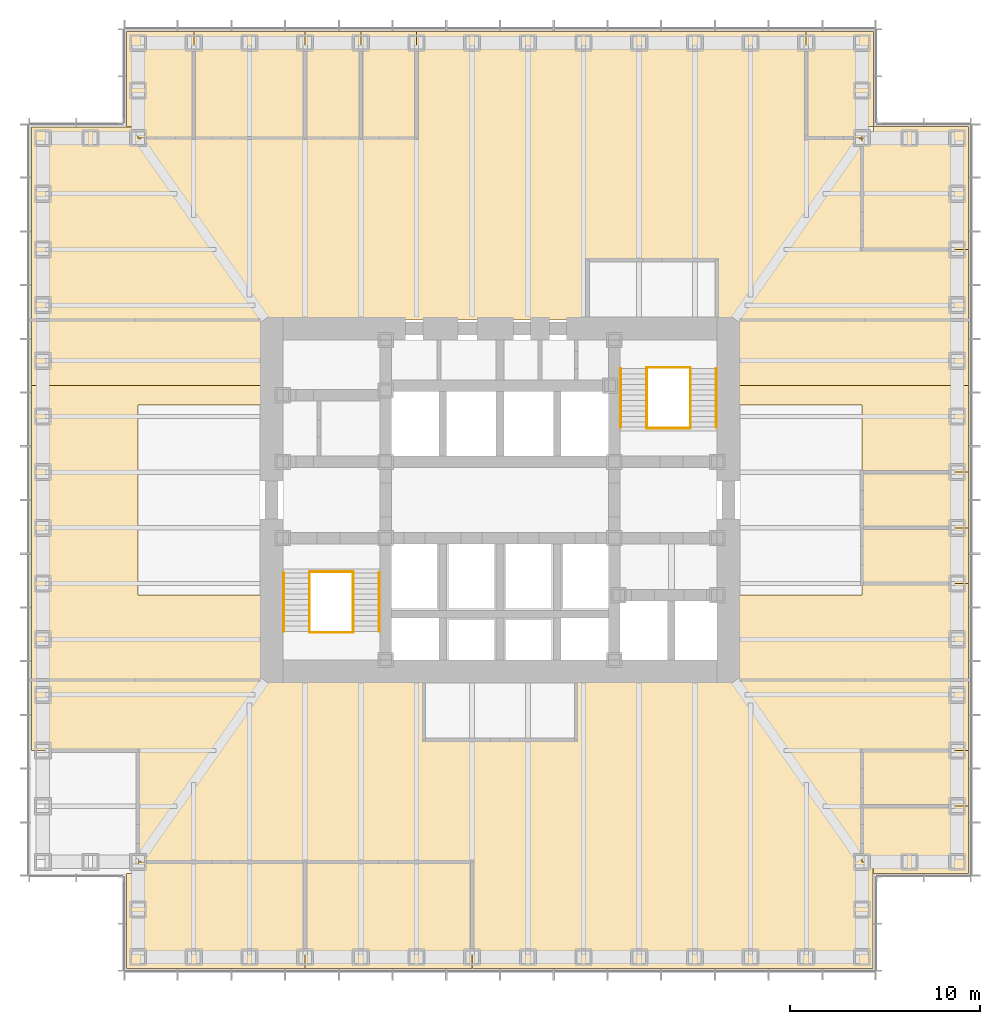
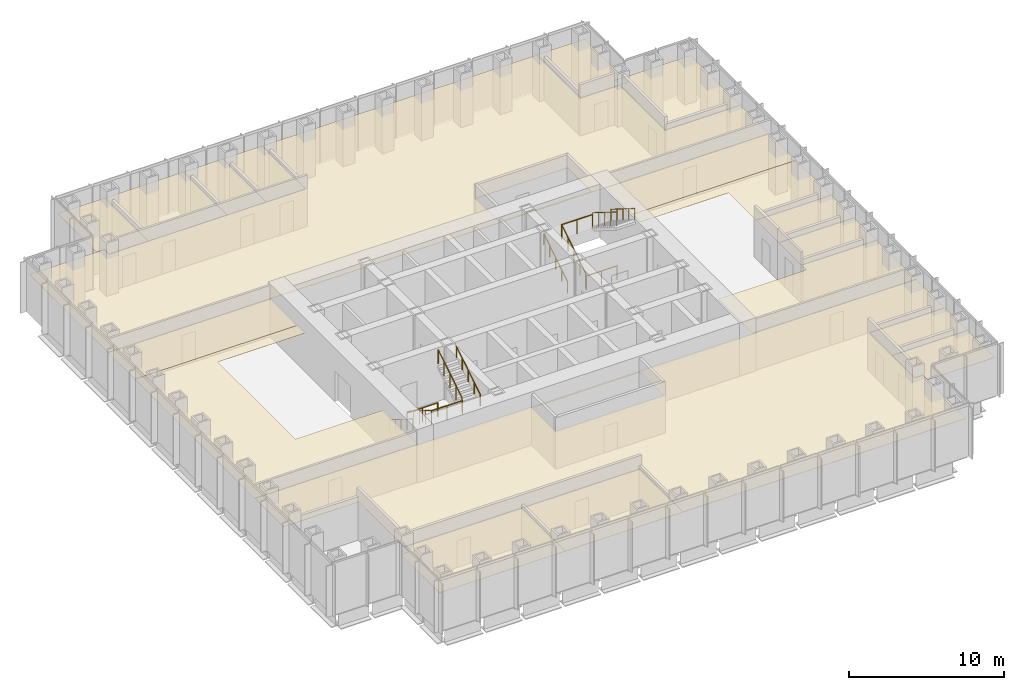
# One storey, part 16 of 16: 19 coverings, 12 railings.
"""IFC4 building model written with IfcOpenShell, lengths in metres."""

from ifc_helpers import new_model, si_unit, direction, frame, origin, origin_2d, place, context, subcontext, project, spatial, polyline, circle, outline, extrude, material, layer, layer_set, type_object, element, save


model = new_model("IFC4")

# Units and contexts
model_context = context("Model", 3, precision=1e-05, world=origin(), true_north=direction((0.0, 1.0)))
body_context = subcontext(model_context, "Body", "Model", "MODEL_VIEW")
ifc_project = project(units=[si_unit("LENGTHUNIT", "METRE"), si_unit("AREAUNIT", "SQUARE_METRE"), si_unit("VOLUMEUNIT", "CUBIC_METRE"), si_unit("PLANEANGLEUNIT", "RADIAN"), si_unit("MASSUNIT", "GRAM", prefix="KILO")], contexts=[model_context])

# Site, building, storey
site_placement = place(None, origin())
site = spatial("IfcSite", under=ifc_project, at=site_placement, CompositionType="ELEMENT")
building_placement = place(site_placement, origin())
building = spatial("IfcBuilding", under=site, at=building_placement, Name="Daluyong Arena Tower", CompositionType="ELEMENT")
storey_placement = place(building_placement, frame((0.0, 0.0, 64.300048828125)))
storey = spatial("IfcBuildingStorey", under=building, at=storey_placement, Name="L13", CompositionType="ELEMENT", Elevation=64.300048828125)

# Coverings
ifc_material_1 = material(Name="Mineral fibre ceiling tile", Category="gypsum board")
ifc_layer = layer(ifc_material_1, 0.02001953125)
ifc_layer_set = layer_set([ifc_layer], Name="Mineral fibre ceiling tile")
covering_type = type_object("IfcCoveringType", Name="Office ceiling", PredefinedType="CEILING", material=ifc_layer_set)
covering_1_placement = place(storey_placement, frame((0.0, 0.0, 2.89990234375)))
element("IfcCovering", 1, at=covering_1_placement, inside=storey, type_object=covering_type, Name="ceiling L13-01", PredefinedType="CEILING", context=body_context, shape_type="SweptSolid", body=[
    extrude(outline(polyline([(36.39990234375, 60.39990234375), (36.39990234375, 55.39990234375), (45.769287109375, 55.39990234375), (45.769287109375, 61.0), (37.0, 61.0), (37.0, 60.39990234375), (36.39990234375, 60.39990234375)])), origin(), (0.0, 0.0, 1.0), 0.02001953125),
])
covering_2_placement = place(storey_placement, frame((0.0, 0.0, 2.89990234375)))
element("IfcCovering", 2, at=covering_2_placement, inside=storey, type_object=covering_type, Name="ceiling L13-02", PredefinedType="CEILING", context=body_context, shape_type="SweptSolid", body=[
    extrude(outline(polyline([(45.769287109375, 61.0), (45.769287109375, 55.39990234375), (54.53857421875, 55.39990234375), (54.53857421875, 61.0), (45.769287109375, 61.0)])), origin(), (0.0, 0.0, 1.0), 0.02001953125),
])
covering_3_placement = place(storey_placement, frame((0.0, 0.0, 2.89990234375)))
element("IfcCovering", 3, at=covering_3_placement, inside=storey, type_object=covering_type, Name="ceiling L13-03", PredefinedType="CEILING", context=body_context, shape_type="SweptSolid", body=[
    extrude(outline(polyline([(75.60009765625, 60.39990234375), (80.60009765625, 60.39990234375), (80.60009765625, 63.923095703125), (75.0, 63.923095703125), (75.0, 61.0), (75.60009765625, 61.0), (75.60009765625, 60.39990234375)])), origin(), (0.0, 0.0, 1.0), 0.02001953125),
])
covering_4_placement = place(storey_placement, frame((0.0, 0.0, 2.89990234375)))
element("IfcCovering", 4, at=covering_4_placement, inside=storey, type_object=covering_type, Name="ceiling L13-04", PredefinedType="CEILING", context=body_context, shape_type="SweptSolid", body=[
    extrude(outline(polyline([(75.0, 63.923095703125), (80.60009765625, 63.923095703125), (80.60009765625, 66.84619140625), (75.0, 66.84619140625), (75.0, 63.923095703125)])), origin(), (0.0, 0.0, 1.0), 0.02001953125),
])
covering_5_placement = place(storey_placement, frame((0.0, 0.0, 2.89990234375)))
element("IfcCovering", 5, at=covering_5_placement, inside=storey, type_object=covering_type, Name="ceiling L13-05", PredefinedType="CEILING", context=body_context, shape_type="SweptSolid", body=[
    extrude(outline(polyline([(75.0, 75.615478515625), (80.60009765625, 75.615478515625), (80.60009765625, 78.53857421875), (75.0, 78.53857421875), (75.0, 75.615478515625)])), origin(), (0.0, 0.0, 1.0), 0.02001953125),
])
covering_6_placement = place(storey_placement, frame((0.0, 0.0, 2.89990234375)))
element("IfcCovering", 6, at=covering_6_placement, inside=storey, type_object=covering_type, Name="ceiling L13-06", PredefinedType="CEILING", context=body_context, shape_type="SweptSolid", body=[
    extrude(outline(polyline([(75.0, 78.53857421875), (80.60009765625, 78.53857421875), (80.60009765625, 81.46142578125), (75.0, 81.46142578125), (75.0, 78.53857421875)])), origin(), (0.0, 0.0, 1.0), 0.02001953125),
])
covering_7_placement = place(storey_placement, frame((0.0, 0.0, 2.89990234375)))
element("IfcCovering", 7, at=covering_7_placement, inside=storey, type_object=covering_type, Name="ceiling L13-07", PredefinedType="CEILING", context=body_context, shape_type="SweptSolid", body=[
    extrude(outline(polyline([(75.0, 93.15380859375), (80.60009765625, 93.15380859375), (80.60009765625, 99.60009765625), (75.60009765625, 99.60009765625), (75.60009765625, 99.0), (75.0, 99.0), (75.0, 93.15380859375)])), origin(), (0.0, 0.0, 1.0), 0.02001953125),
])
covering_8_placement = place(storey_placement, frame((0.0, 0.0, 2.89990234375)))
element("IfcCovering", 8, at=covering_8_placement, inside=storey, type_object=covering_type, Name="ceiling L13-08", PredefinedType="CEILING", context=body_context, shape_type="SweptSolid", body=[
    extrude(outline(polyline([(39.923095703125, 99.0), (39.923095703125, 104.60009765625), (36.39990234375, 104.60009765625), (36.39990234375, 99.60009765625), (37.0, 99.60009765625), (37.0, 99.0), (39.923095703125, 99.0)])), origin(), (0.0, 0.0, 1.0), 0.02001953125),
])
covering_9_placement = place(storey_placement, frame((0.0, 0.0, 2.89990234375)))
element("IfcCovering", 9, at=covering_9_placement, inside=storey, type_object=covering_type, Name="ceiling L13-09", PredefinedType="CEILING", context=body_context, shape_type="SweptSolid", body=[
    extrude(outline(polyline([(45.769287109375, 99.0), (45.769287109375, 104.60009765625), (39.923095703125, 104.60009765625), (39.923095703125, 99.0), (45.769287109375, 99.0)])), origin(), (0.0, 0.0, 1.0), 0.02001953125),
])
covering_10_placement = place(storey_placement, frame((0.0, 0.0, 2.89990234375)))
element("IfcCovering", 10, at=covering_10_placement, inside=storey, type_object=covering_type, Name="ceiling L13-10", PredefinedType="CEILING", context=body_context, shape_type="SweptSolid", body=[
    extrude(outline(polyline([(48.6923828125, 99.0), (48.6923828125, 104.60009765625), (45.769287109375, 104.60009765625), (45.769287109375, 99.0), (48.6923828125, 99.0)])), origin(), (0.0, 0.0, 1.0), 0.02001953125),
])
covering_11_placement = place(storey_placement, frame((0.0, 0.0, 2.89990234375)))
element("IfcCovering", 11, at=covering_11_placement, inside=storey, type_object=covering_type, Name="ceiling L13-11", PredefinedType="CEILING", context=body_context, shape_type="SweptSolid", body=[
    extrude(outline(polyline([(51.615478515625, 99.0), (51.615478515625, 104.60009765625), (48.6923828125, 104.60009765625), (48.6923828125, 99.0), (51.615478515625, 99.0)])), origin(), (0.0, 0.0, 1.0), 0.02001953125),
])
covering_12_placement = place(storey_placement, frame((0.0, 0.0, 2.89990234375)))
element("IfcCovering", 12, at=covering_12_placement, inside=storey, type_object=covering_type, Name="ceiling L13-12", PredefinedType="CEILING", context=body_context, shape_type="SweptSolid", body=[
    extrude(outline(polyline([(72.076904296875, 99.0), (75.0, 99.0), (75.0, 99.60009765625), (75.60009765625, 99.60009765625), (75.60009765625, 104.60009765625), (72.076904296875, 104.60009765625), (72.076904296875, 99.0)])), origin(), (0.0, 0.0, 1.0), 0.02001953125),
])
covering_13_placement = place(storey_placement, frame((0.0, 0.0, 2.89990234375)))
element("IfcCovering", 13, at=covering_13_placement, inside=storey, type_object=covering_type, Name="ceiling L13-18", PredefinedType="CEILING", context=body_context, shape_type="SweptSolid", body=[
    extrude(outline(polyline([(37.010009765625, 61.010009765625), (54.548583984375, 61.010009765625), (54.548583984375, 55.409912109375), (75.590087890625, 55.409912109375), (75.590087890625, 60.989990234375), (74.989990234375, 60.989990234375), (74.989990234375, 66.856201171875), (80.590087890625, 66.856201171875), (80.590087890625, 70.5400390625), (31.409912109375, 70.5400390625), (31.409912109375, 66.856201171875), (37.010009765625, 66.856201171875), (37.010009765625, 61.010009765625)]), holes=[polyline([(60.010009765625, 67.389892578125), (51.989990234375, 67.389892578125), (51.989990234375, 70.409912109375), (60.010009765625, 70.409912109375), (60.010009765625, 67.389892578125)])]), origin(), (0.0, 0.0, 1.0), 0.02001953125),
])
covering_14_placement = place(storey_placement, frame((0.0, 0.0, 2.89990234375)))
element("IfcCovering", 14, at=covering_14_placement, inside=storey, type_object=covering_type, Name="ceiling L13-19", PredefinedType="CEILING", context=body_context, shape_type="SweptSolid", body=[
    extrude(outline(polyline([(51.62548828125, 98.989990234375), (36.989990234375, 98.989990234375), (36.989990234375, 99.590087890625), (31.409912109375, 99.590087890625), (31.409912109375, 89.4599609375), (80.590087890625, 89.4599609375), (80.590087890625, 93.143798828125), (74.989990234375, 93.143798828125), (74.989990234375, 98.989990234375), (72.06689453125, 98.989990234375), (72.06689453125, 104.590087890625), (51.62548828125, 104.590087890625), (51.62548828125, 98.989990234375)]), holes=[polyline([(67.409912109375, 89.590087890625), (60.590087890625, 89.590087890625), (60.590087890625, 92.610107421875), (67.409912109375, 92.610107421875), (67.409912109375, 89.590087890625)])]), origin(), (0.0, 0.0, 1.0), 0.02001953125),
])
covering_15_placement = place(storey_placement, frame((0.0, 0.0, 2.89990234375)))
element("IfcCovering", 15, at=covering_15_placement, inside=storey, type_object=covering_type, Name="ceiling L13-20", PredefinedType="CEILING", context=body_context, shape_type="SweptSolid", body=[
    extrude(outline(polyline([(43.550048828125, 85.0), (43.550048828125, 86.0), (31.39990234375, 86.0), (31.39990234375, 70.550048828125), (43.550048828125, 70.550048828125), (43.550048828125, 75.0), (37.0, 75.0), (37.0, 85.0), (43.550048828125, 85.0)])), origin(), (0.0, 0.0, 1.0), 0.02001953125),
])
covering_16_placement = place(storey_placement, frame((0.0, 0.0, 2.89990234375)))
element("IfcCovering", 16, at=covering_16_placement, inside=storey, type_object=covering_type, Name="ceiling L13-21", PredefinedType="CEILING", context=body_context, shape_type="SweptSolid", body=[
    extrude(outline(polyline([(43.550048828125, 86.0), (43.550048828125, 89.449951171875), (31.39990234375, 89.449951171875), (31.39990234375, 86.0), (43.550048828125, 86.0)])), origin(), (0.0, 0.0, 1.0), 0.02001953125),
])
covering_17_placement = place(storey_placement, frame((0.0, 0.0, 2.89990234375)))
element("IfcCovering", 17, at=covering_17_placement, inside=storey, type_object=covering_type, Name="ceiling L13-22", PredefinedType="CEILING", context=body_context, shape_type="SweptSolid", body=[
    extrude(outline(polyline([(80.60009765625, 81.46142578125), (80.60009765625, 86.0), (68.449951171875, 86.0), (68.449951171875, 85.0), (75.0, 85.0), (75.0, 81.46142578125), (80.60009765625, 81.46142578125)])), origin(), (0.0, 0.0, 1.0), 0.02001953125),
])
covering_18_placement = place(storey_placement, frame((0.0, 0.0, 2.89990234375)))
element("IfcCovering", 18, at=covering_18_placement, inside=storey, type_object=covering_type, Name="ceiling L13-23", PredefinedType="CEILING", context=body_context, shape_type="SweptSolid", body=[
    extrude(outline(polyline([(68.449951171875, 75.0), (68.449951171875, 70.550048828125), (80.60009765625, 70.550048828125), (80.60009765625, 75.615478515625), (75.0, 75.615478515625), (75.0, 75.0), (68.449951171875, 75.0)])), origin(), (0.0, 0.0, 1.0), 0.02001953125),
])
covering_19_placement = place(storey_placement, frame((0.0, 0.0, 2.89990234375)))
element("IfcCovering", 19, at=covering_19_placement, inside=storey, type_object=covering_type, Name="ceiling L13-24", PredefinedType="CEILING", context=body_context, shape_type="SweptSolid", body=[
    extrude(outline(polyline([(80.60009765625, 86.0), (80.60009765625, 89.449951171875), (68.449951171875, 89.449951171875), (68.449951171875, 86.0), (80.60009765625, 86.0)])), origin(), (0.0, 0.0, 1.0), 0.02001953125),
])

# Railings
ifc_material_2 = material(Name="Stainless steel handrail", Category="steel")
railing_type_1 = type_object("IfcRailingType", Name="Stair handrail", PredefinedType="HANDRAIL", material=ifc_material_2)
railing_1_placement = place(storey_placement, frame((44.64990234375, 76.175048828125, 0.175048828125)))
element("IfcRailing", 20, at=railing_1_placement, inside=storey, type_object=railing_type_1, Name="exit stair A handrail L13", PredefinedType="HANDRAIL", context=body_context, shape_type="SweptSolid", body=[
    extrude(circle(Radius=0.02392578125, at=origin_2d()), frame((0.0, 0.0, 0.8759765625), z_axis=(0.0, -0.848028513186, 0.529950602248), x_axis=(1.0, 0.0, 0.0)), (0.0, 0.0, 1.0), 3.632080078125),
    extrude(circle(Radius=0.02099609375, at=origin_2d()), origin(), (0.0, 0.0, 1.0), 0.851806640625),
    extrude(circle(Radius=0.02099609375, at=origin_2d()), frame((0.0, -0.77001953125, 0.481201171875)), (0.0, 0.0, 1.0), 0.851806640625),
    extrude(circle(Radius=0.02099609375, at=origin_2d()), frame((0.0, -1.5400390625, 0.96240234375)), (0.0, 0.0, 1.0), 0.851806640625),
    extrude(circle(Radius=0.02099609375, at=origin_2d()), frame((0.0, -2.31005859375, 1.443603515625)), (0.0, 0.0, 1.0), 0.851806640625),
    extrude(circle(Radius=0.02099609375, at=origin_2d()), frame((0.0, -3.080078125, 1.9248046875)), (0.0, 0.0, 1.0), 0.851806640625),
])
railing_2_placement = place(storey_placement, frame((49.64990234375, 73.094970703125, 2.27490234375)))
element("IfcRailing", 21, at=railing_2_placement, inside=storey, type_object=railing_type_1, Name="exit stair A handrail L13", PredefinedType="HANDRAIL", context=body_context, shape_type="SweptSolid", body=[
    extrude(circle(Radius=0.02392578125, at=origin_2d()), frame((0.0, 0.0, 0.8759765625), z_axis=(0.0, 0.847998304005, 0.529998940003), x_axis=(-1.0, 0.0, 0.0)), (0.0, 0.0, 1.0), 3.632080078125),
    extrude(circle(Radius=0.02099609375, at=origin_2d()), origin(), (0.0, 0.0, 1.0), 0.851806640625),
    extrude(circle(Radius=0.02099609375, at=origin_2d()), frame((0.0, 0.77001953125, 0.481201171875)), (0.0, 0.0, 1.0), 0.851806640625),
    extrude(circle(Radius=0.02099609375, at=origin_2d()), frame((0.0, 1.5400390625, 0.96240234375)), (0.0, 0.0, 1.0), 0.851806640625),
    extrude(circle(Radius=0.02099609375, at=origin_2d()), frame((0.0, 2.31005859375, 1.44384765625)), (0.0, 0.0, 1.0), 0.851806640625),
    extrude(circle(Radius=0.02099609375, at=origin_2d()), frame((0.0, 3.080078125, 1.925048828125)), (0.0, 0.0, 1.0), 0.851806640625),
])
railing_3_placement = place(storey_placement, frame((62.35009765625, 83.824951171875, 0.175048828125)))
element("IfcRailing", 22, at=railing_3_placement, inside=storey, type_object=railing_type_1, Name="exit stair B handrail L13", PredefinedType="HANDRAIL", context=body_context, shape_type="SweptSolid", body=[
    extrude(circle(Radius=0.02392578125, at=origin_2d()), frame((0.0, 0.0, 0.8759765625), z_axis=(0.0, 0.848028513186, 0.529950602248), x_axis=(-1.0, 0.0, 0.0)), (0.0, 0.0, 1.0), 3.632080078125),
    extrude(circle(Radius=0.02099609375, at=origin_2d()), origin(), (0.0, 0.0, 1.0), 0.851806640625),
    extrude(circle(Radius=0.02099609375, at=origin_2d()), frame((0.0, 0.77001953125, 0.481201171875)), (0.0, 0.0, 1.0), 0.851806640625),
    extrude(circle(Radius=0.02099609375, at=origin_2d()), frame((0.0, 1.5400390625, 0.96240234375)), (0.0, 0.0, 1.0), 0.851806640625),
    extrude(circle(Radius=0.02099609375, at=origin_2d()), frame((0.0, 2.31005859375, 1.443603515625)), (0.0, 0.0, 1.0), 0.851806640625),
    extrude(circle(Radius=0.02099609375, at=origin_2d()), frame((0.0, 3.080078125, 1.9248046875)), (0.0, 0.0, 1.0), 0.851806640625),
])
railing_4_placement = place(storey_placement, frame((67.35009765625, 86.905029296875, 2.27490234375)))
element("IfcRailing", 23, at=railing_4_placement, inside=storey, type_object=railing_type_1, Name="exit stair B handrail L13", PredefinedType="HANDRAIL", context=body_context, shape_type="SweptSolid", body=[
    extrude(circle(Radius=0.02392578125, at=origin_2d()), frame((0.0, 0.0, 0.8759765625), z_axis=(0.0, -0.847998304005, 0.529998940003), x_axis=(1.0, 0.0, 0.0)), (0.0, 0.0, 1.0), 3.632080078125),
    extrude(circle(Radius=0.02099609375, at=origin_2d()), origin(), (0.0, 0.0, 1.0), 0.851806640625),
    extrude(circle(Radius=0.02099609375, at=origin_2d()), frame((0.0, -0.77001953125, 0.481201171875)), (0.0, 0.0, 1.0), 0.851806640625),
    extrude(circle(Radius=0.02099609375, at=origin_2d()), frame((0.0, -1.5400390625, 0.96240234375)), (0.0, 0.0, 1.0), 0.851806640625),
    extrude(circle(Radius=0.02099609375, at=origin_2d()), frame((0.0, -2.31005859375, 1.44384765625)), (0.0, 0.0, 1.0), 0.851806640625),
    extrude(circle(Radius=0.02099609375, at=origin_2d()), frame((0.0, -3.080078125, 1.925048828125)), (0.0, 0.0, 1.0), 0.851806640625),
])
ifc_material_3 = material(Name="Steel balustrade", Category="steel")
railing_type_2 = type_object("IfcRailingType", Name="Stair well guard 1100", PredefinedType="GUARDRAIL", material=ifc_material_3)
railing_5_placement = place(storey_placement, frame((46.0, 76.175048828125, 0.175048828125)))
element("IfcRailing", 24, at=railing_5_placement, inside=storey, type_object=railing_type_2, Name="exit stair A well guard L13", PredefinedType="GUARDRAIL", context=body_context, shape_type="SweptSolid", body=[
    extrude(circle(Radius=0.02392578125, at=origin_2d()), frame((0.0, 0.0, 1.076171875), z_axis=(0.0, -0.848028513186, 0.529950602248), x_axis=(1.0, 0.0, 0.0)), (0.0, 0.0, 1.0), 3.632080078125),
    extrude(circle(Radius=0.02099609375, at=origin_2d()), origin(), (0.0, 0.0, 1.0), 1.052001953125),
    extrude(circle(Radius=0.02099609375, at=origin_2d()), frame((0.0, -0.77001953125, 0.481201171875)), (0.0, 0.0, 1.0), 1.052001953125),
    extrude(circle(Radius=0.02099609375, at=origin_2d()), frame((0.0, -1.5400390625, 0.96240234375)), (0.0, 0.0, 1.0), 1.052001953125),
    extrude(circle(Radius=0.02099609375, at=origin_2d()), frame((0.0, -2.31005859375, 1.443603515625)), (0.0, 0.0, 1.0), 1.052001953125),
    extrude(circle(Radius=0.02099609375, at=origin_2d()), frame((0.0, -3.080078125, 1.9248046875)), (0.0, 0.0, 1.0), 1.052001953125),
])
railing_6_placement = place(storey_placement, frame((48.300048828125, 73.094970703125, 2.27490234375)))
element("IfcRailing", 25, at=railing_6_placement, inside=storey, type_object=railing_type_2, Name="exit stair A well guard L13", PredefinedType="GUARDRAIL", context=body_context, shape_type="SweptSolid", body=[
    extrude(circle(Radius=0.02392578125, at=origin_2d()), frame((0.0, 0.0, 1.076171875), z_axis=(0.0, 0.847998304005, 0.529998940003), x_axis=(-1.0, 0.0, 0.0)), (0.0, 0.0, 1.0), 3.632080078125),
    extrude(circle(Radius=0.02099609375, at=origin_2d()), origin(), (0.0, 0.0, 1.0), 1.052001953125),
    extrude(circle(Radius=0.02099609375, at=origin_2d()), frame((0.0, 0.77001953125, 0.481201171875)), (0.0, 0.0, 1.0), 1.052001953125),
    extrude(circle(Radius=0.02099609375, at=origin_2d()), frame((0.0, 1.5400390625, 0.96240234375)), (0.0, 0.0, 1.0), 1.052001953125),
    extrude(circle(Radius=0.02099609375, at=origin_2d()), frame((0.0, 2.31005859375, 1.44384765625)), (0.0, 0.0, 1.0), 1.052001953125),
    extrude(circle(Radius=0.02099609375, at=origin_2d()), frame((0.0, 3.080078125, 1.925048828125)), (0.0, 0.0, 1.0), 1.052001953125),
])
for number, where, name in (
    (26, (46.0, 73.044921875, 2.099853515625), "exit stair A landing guard L13"),
    (27, (46.0, 76.22509765625, 0.0), "exit stair A floor landing guard L13"),
):
    element("IfcRailing", number, at=place(storey_placement, frame(where)), inside=storey, type_object=railing_type_2, Name=name, PredefinedType="GUARDRAIL", context=body_context, shape_type="SweptSolid", body=[
        extrude(circle(Radius=0.02392578125, at=origin_2d()), frame((0.0, 0.0, 1.076171875), z_axis=(1.0, 0.0, 0.0), x_axis=(0.0, 1.0, 0.0)), (0.0, 0.0, 1.0), 2.300048828125),
        extrude(circle(Radius=0.02099609375, at=origin_2d()), origin(), (0.0, 0.0, 1.0), 1.052001953125),
        extrude(circle(Radius=0.02099609375, at=origin_2d()), frame((1.14990234375, 0.0, 0.0)), (0.0, 0.0, 1.0), 1.052001953125),
        extrude(circle(Radius=0.02099609375, at=origin_2d()), frame((2.300048828125, 0.0, 0.0)), (0.0, 0.0, 1.0), 1.052001953125),
    ])
railing_7_placement = place(storey_placement, frame((63.699951171875, 83.824951171875, 0.175048828125)))
element("IfcRailing", 28, at=railing_7_placement, inside=storey, type_object=railing_type_2, Name="exit stair B well guard L13", PredefinedType="GUARDRAIL", context=body_context, shape_type="SweptSolid", body=[
    extrude(circle(Radius=0.02392578125, at=origin_2d()), frame((0.0, 0.0, 1.076171875), z_axis=(0.0, 0.848028513186, 0.529950602248), x_axis=(-1.0, 0.0, 0.0)), (0.0, 0.0, 1.0), 3.632080078125),
    extrude(circle(Radius=0.02099609375, at=origin_2d()), origin(), (0.0, 0.0, 1.0), 1.052001953125),
    extrude(circle(Radius=0.02099609375, at=origin_2d()), frame((0.0, 0.77001953125, 0.481201171875)), (0.0, 0.0, 1.0), 1.052001953125),
    extrude(circle(Radius=0.02099609375, at=origin_2d()), frame((0.0, 1.5400390625, 0.96240234375)), (0.0, 0.0, 1.0), 1.052001953125),
    extrude(circle(Radius=0.02099609375, at=origin_2d()), frame((0.0, 2.31005859375, 1.443603515625)), (0.0, 0.0, 1.0), 1.052001953125),
    extrude(circle(Radius=0.02099609375, at=origin_2d()), frame((0.0, 3.080078125, 1.9248046875)), (0.0, 0.0, 1.0), 1.052001953125),
])
railing_8_placement = place(storey_placement, frame((66.0, 86.905029296875, 2.27490234375)))
element("IfcRailing", 29, at=railing_8_placement, inside=storey, type_object=railing_type_2, Name="exit stair B well guard L13", PredefinedType="GUARDRAIL", context=body_context, shape_type="SweptSolid", body=[
    extrude(circle(Radius=0.02392578125, at=origin_2d()), frame((0.0, 0.0, 1.076171875), z_axis=(0.0, -0.847998304005, 0.529998940003), x_axis=(1.0, 0.0, 0.0)), (0.0, 0.0, 1.0), 3.632080078125),
    extrude(circle(Radius=0.02099609375, at=origin_2d()), origin(), (0.0, 0.0, 1.0), 1.052001953125),
    extrude(circle(Radius=0.02099609375, at=origin_2d()), frame((0.0, -0.77001953125, 0.481201171875)), (0.0, 0.0, 1.0), 1.052001953125),
    extrude(circle(Radius=0.02099609375, at=origin_2d()), frame((0.0, -1.5400390625, 0.96240234375)), (0.0, 0.0, 1.0), 1.052001953125),
    extrude(circle(Radius=0.02099609375, at=origin_2d()), frame((0.0, -2.31005859375, 1.44384765625)), (0.0, 0.0, 1.0), 1.052001953125),
    extrude(circle(Radius=0.02099609375, at=origin_2d()), frame((0.0, -3.080078125, 1.925048828125)), (0.0, 0.0, 1.0), 1.052001953125),
])
for number, where, name in (
    (30, (63.699951171875, 86.955078125, 2.099853515625), "exit stair B landing guard L13"),
    (31, (63.699951171875, 83.77490234375, 0.0), "exit stair B floor landing guard L13"),
):
    element("IfcRailing", number, at=place(storey_placement, frame(where)), inside=storey, type_object=railing_type_2, Name=name, PredefinedType="GUARDRAIL", context=body_context, shape_type="SweptSolid", body=[
        extrude(circle(Radius=0.02392578125, at=origin_2d()), frame((0.0, 0.0, 1.076171875), z_axis=(1.0, 0.0, 0.0), x_axis=(0.0, 1.0, 0.0)), (0.0, 0.0, 1.0), 2.300048828125),
        extrude(circle(Radius=0.02099609375, at=origin_2d()), origin(), (0.0, 0.0, 1.0), 1.052001953125),
        extrude(circle(Radius=0.02099609375, at=origin_2d()), frame((1.14990234375, 0.0, 0.0)), (0.0, 0.0, 1.0), 1.052001953125),
        extrude(circle(Radius=0.02099609375, at=origin_2d()), frame((2.300048828125, 0.0, 0.0)), (0.0, 0.0, 1.0), 1.052001953125),
    ])

save(model, "model.ifc")
